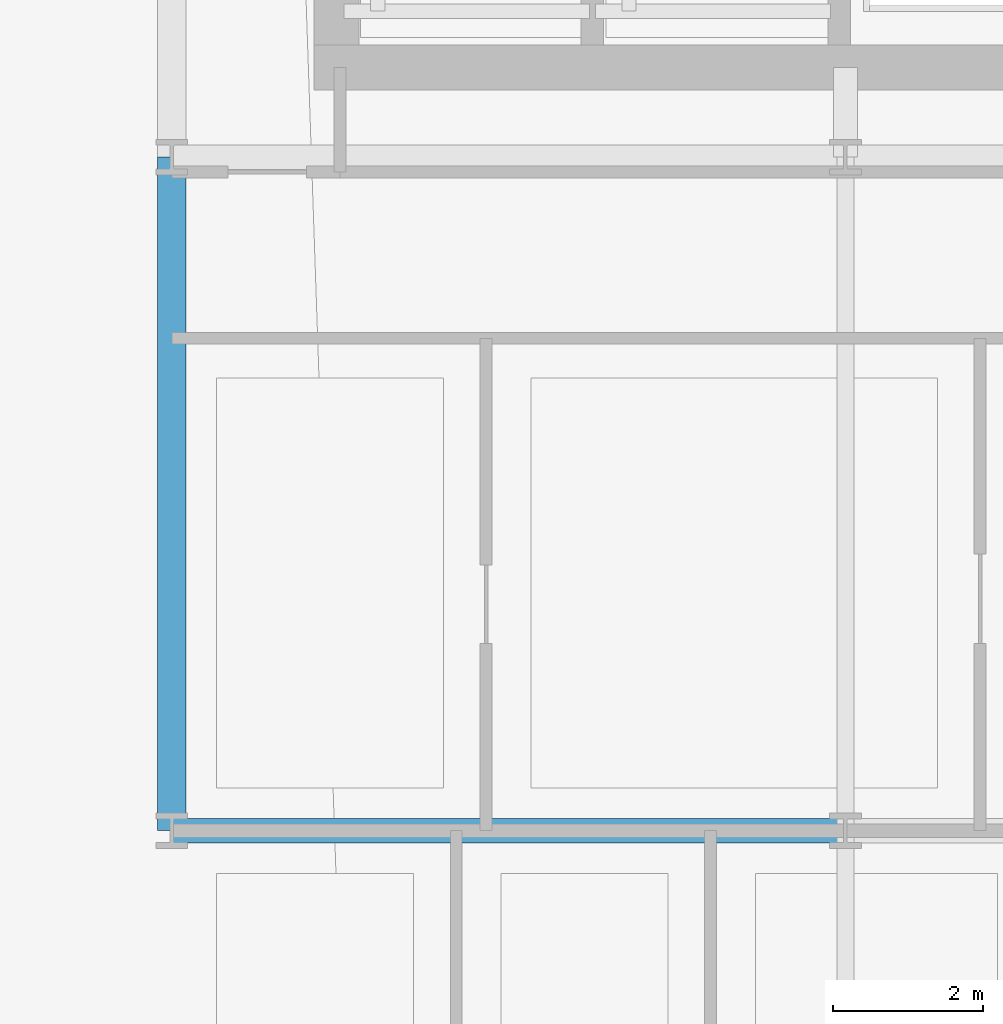
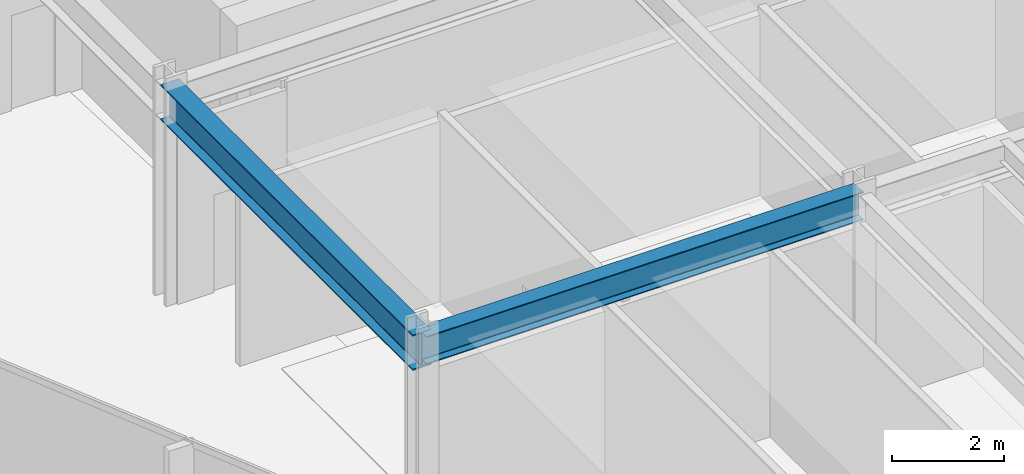
# One storey, part 6 of 39: 2 beams.
"""IFC4 building model written with IfcOpenShell, lengths in metres."""

from ifc_helpers import new_model, si_unit, direction, frame, origin, origin_2d, place, context, subcontext, project, spatial, i_section, extrude, material, material_profile, profile_set, type_object, element, save


model = new_model("IFC4")

# Units and contexts
model_context = context("Model", 3, precision=1e-05, world=origin(), true_north=direction((0.0, 1.0)))
body_context = subcontext(model_context, "Body", "Model", "MODEL_VIEW")
ifc_project = project(units=[si_unit("LENGTHUNIT", "METRE"), si_unit("AREAUNIT", "SQUARE_METRE"), si_unit("VOLUMEUNIT", "CUBIC_METRE"), si_unit("PLANEANGLEUNIT", "RADIAN"), si_unit("MASSUNIT", "GRAM", prefix="KILO")], contexts=[model_context])

# Site, building, storey
site_placement = place(None, origin())
site = spatial("IfcSite", under=ifc_project, at=site_placement, CompositionType="ELEMENT")
building_placement = place(site_placement, origin())
building = spatial("IfcBuilding", under=site, at=building_placement, Name="Solvaryn Broadcast Tower", CompositionType="ELEMENT")
storey_placement = place(building_placement, frame((0.0, 0.0, 84.10009765625)))
storey = spatial("IfcBuildingStorey", under=building, at=storey_placement, Name="L20", CompositionType="ELEMENT", Elevation=84.10009765625)

# Beams
ifc_material_1 = material(Name="Steel ASTM A992 Grade 50", Category="steel")
ifc_material_profile_1 = material_profile(ifc_material_1, i_section(OverallWidth=0.323974609375, OverallDepth=0.611083984375, WebThickness=0.0126953125, FlangeThickness=0.01904296875, FilletRadius=0.014892578125, at=origin_2d()))
ifc_profile_set_1 = profile_set([ifc_material_profile_1], Name="Steel ASTM A992 Grade 50")
beam_type_1 = type_object("IfcBeamType", Name="BM-B1-W24X104", PredefinedType="BEAM", material=ifc_profile_set_1)
beam_1_placement = place(storey_placement, frame((9.0, 18.0, 4.414306640625), z_axis=(1.0, 0.0, 0.0), x_axis=(0.0, 1.0, 0.0)))
element("IfcBeam", 1, at=beam_1_placement, inside=storey, type_object=beam_type_1, Name="L20 Primary Beam X (9-18 @ Y=18)", PredefinedType="BEAM", context=body_context, shape_type="SweptSolid", body=[
    extrude(i_section(OverallWidth=0.323974609375, OverallDepth=0.611083984375, WebThickness=0.0126953125, FlangeThickness=0.01904296875, FilletRadius=0.014892578125, at=origin_2d()), origin(), (0.0, 0.0, 1.0), 9.0),
])
ifc_material_2 = material(Name="Steel ASTM A992 Grade 50", Category="steel")
ifc_material_profile_2 = material_profile(ifc_material_2, i_section(OverallWidth=0.381103515625, OverallDepth=0.77294921875, WebThickness=0.0166015625, FlangeThickness=0.027099609375, FilletRadius=0.01806640625, at=origin_2d()))
ifc_profile_set_2 = profile_set([ifc_material_profile_2], Name="Steel ASTM A992 Grade 50")
beam_type_2 = type_object("IfcBeamType", Name="BM-SP1-W30X173", PredefinedType="USERDEFINED", material=ifc_profile_set_2)
beam_2_placement = place(storey_placement, frame((9.0, 18.0, 4.33349609375), z_axis=(0.0, 1.0, 0.0), x_axis=(-1.0, 0.0, 0.0)))
element("IfcBeam", 2, at=beam_2_placement, inside=storey, type_object=beam_type_2, Name="L20 Spandrel Beam Y (18-27 @ X=9)", ObjectType="SPANDREL", PredefinedType="USERDEFINED", context=body_context, shape_type="SweptSolid", body=[
    extrude(i_section(OverallWidth=0.381103515625, OverallDepth=0.77294921875, WebThickness=0.0166015625, FlangeThickness=0.027099609375, FilletRadius=0.01806640625, at=origin_2d()), origin(), (0.0, 0.0, 1.0), 9.0),
])

save(model, "model.ifc")
